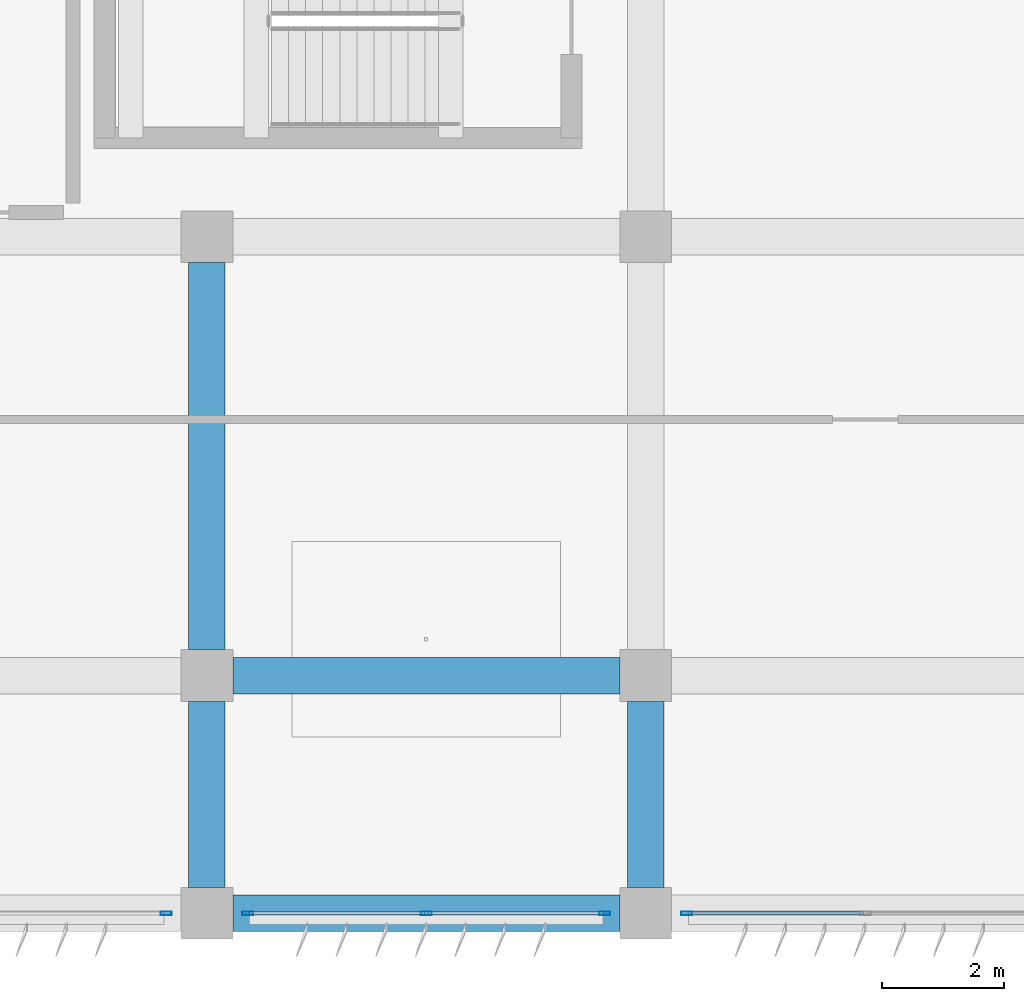
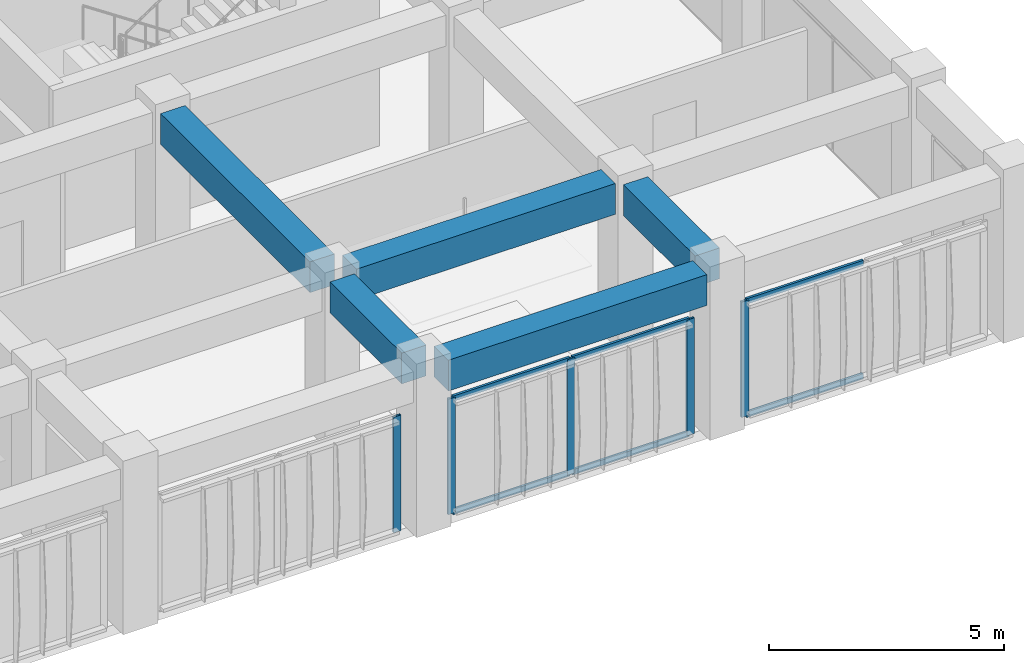
# One storey, part 16 of 48: 11 members, 5 beams, 3 elements without a shape of their own.
"""IFC4 building model written with IfcOpenShell, lengths in metres."""

from ifc_helpers import new_model, si_unit, direction, frame, origin, origin_2d, place, context, subcontext, project, spatial, rectangle, hollow_rectangle, extrude, material, material_profile, profile_set, type_object, element, aggregate, save


model = new_model("IFC4")

# Units and contexts
model_context = context("Model", 3, precision=1e-05, world=origin(), true_north=direction((0.0, 1.0)))
body_context = subcontext(model_context, "Body", "Model", "MODEL_VIEW")
ifc_project = project(units=[si_unit("LENGTHUNIT", "METRE"), si_unit("AREAUNIT", "SQUARE_METRE"), si_unit("VOLUMEUNIT", "CUBIC_METRE"), si_unit("PLANEANGLEUNIT", "RADIAN"), si_unit("MASSUNIT", "GRAM", prefix="KILO")], contexts=[model_context])

# Site, building, storey
site_placement = place(None, origin())
site = spatial("IfcSite", under=ifc_project, at=site_placement, CompositionType="ELEMENT")
building_placement = place(site_placement, origin())
building = spatial("IfcBuilding", under=site, at=building_placement, Name="Kazehaya Institute of Natural Sciences", CompositionType="ELEMENT")
storey_placement = place(building_placement, frame((0.0, 0.0, 19.800048828125)))
storey = spatial("IfcBuildingStorey", under=building, at=storey_placement, Name="L04", CompositionType="ELEMENT", Elevation=19.800048828125)

# Beams
ifc_material_1 = material(Name="Concrete Fc36", Category="concrete")
ifc_material_profile_1 = material_profile(ifc_material_1, rectangle(XDim=0.60009765625, YDim=0.800048828125, at=origin_2d()), Name="RC-600x800")
ifc_profile_set_1 = profile_set([ifc_material_profile_1], Name="Concrete Fc36")
beam_type = type_object("IfcBeamType", Name="BM-G-600x800", PredefinedType="BEAM", material=ifc_profile_set_1)
for number, where, z_axis, x_axis, name in (
    (1, (105.425048828125, 10.10009765625, 3.829833984375), (1.0, 0.0, 0.0), (0.0, 1.0, 0.0), "L04 primary X girder BMX-L04-1050-101"),
    (2, (105.425048828125, 14.0, 3.829833984375), (1.0, 0.0, 0.0), (0.0, 1.0, 0.0), "L04 primary X girder BMX-L04-1050-140"),
):
    element("IfcBeam", number, at=place(storey_placement, frame(where, z_axis=z_axis, x_axis=x_axis)), inside=storey, type_object=beam_type, Name=name, PredefinedType="BEAM", context=body_context, shape_type="SweptSolid", body=[
        extrude(rectangle(XDim=0.60009765625, YDim=0.800048828125, at=origin_2d()), origin(), (0.0, 0.0, 1.0), 6.349853515625),
    ])
beam_1_placement = place(storey_placement, frame((105.0, 10.52490234375, 3.829833984375), z_axis=(0.0, 1.0, 0.0), x_axis=(-1.0, 0.0, 0.0)))
element("IfcBeam", 3, at=beam_1_placement, inside=storey, type_object=beam_type, Name="L04 primary Y girder BMY-L04-1050-101", PredefinedType="BEAM", context=body_context, shape_type="SweptSolid", body=[
    extrude(rectangle(XDim=0.60009765625, YDim=0.800048828125, at=origin_2d()), origin(), (0.0, 0.0, 1.0), 3.050048828125),
])
beam_2_placement = place(storey_placement, frame((105.0, 14.425048828125, 3.829833984375), z_axis=(0.0, 1.0, 0.0), x_axis=(-1.0, 0.0, 0.0)))
element("IfcBeam", 4, at=beam_2_placement, inside=storey, type_object=beam_type, Name="L04 primary Y girder BMY-L04-1050-140", PredefinedType="BEAM", context=body_context, shape_type="SweptSolid", body=[
    extrude(rectangle(XDim=0.60009765625, YDim=0.800048828125, at=origin_2d()), origin(), (0.0, 0.0, 1.0), 6.349853515625),
])
beam_3_placement = place(storey_placement, frame((112.199951171875, 10.52490234375, 3.829833984375), z_axis=(0.0, 1.0, 0.0), x_axis=(-1.0, 0.0, 0.0)))
element("IfcBeam", 5, at=beam_3_placement, inside=storey, type_object=beam_type, Name="L04 primary Y girder BMY-L04-1122-101", PredefinedType="BEAM", context=body_context, shape_type="SweptSolid", body=[
    extrude(rectangle(XDim=0.60009765625, YDim=0.800048828125, at=origin_2d()), origin(), (0.0, 0.0, 1.0), 3.050048828125),
])

# Curtain wall, member
ifc_material_2 = material(Name="Aluminium alloy A6063S-T5", Category="aluminium")
curtain_wall_type = type_object("IfcCurtainWallType", Name="CW-SYS-04", PredefinedType="NOTDEFINED", material=ifc_material_2)
curtain_wall_1_placement = place(storey_placement, origin())
curtain_wall_1 = element("IfcCurtainWall", 6, at=curtain_wall_1_placement, inside=storey, type_object=curtain_wall_type, Name="L04 unitised curtain wall CW-L04-075", PredefinedType="NOTDEFINED")
ifc_material_profile_2 = material_profile(ifc_material_2, hollow_rectangle(XDim=0.06005859375, YDim=0.179931640625, WallThickness=0.00390625, at=origin_2d()), Name="ALU-60x180x4")
ifc_profile_set_2 = profile_set([ifc_material_profile_2], Name="Aluminium alloy A6063S-T5")
member_type_1 = type_object("IfcMemberType", Name="CWM-180", PredefinedType="MULLION", material=ifc_profile_set_2)
member_1_placement = place(storey_placement, frame((112.8701171875, 10.10009765625, 0.0), z_axis=(0.0, 0.0, 1.0), x_axis=(0.0, -1.0, 0.0)))
member_1 = element("IfcMember", 7, at=member_1_placement, type_object=member_type_1, Name="CW04 mullion 3", PredefinedType="MULLION", context=body_context, shape_type="SweptSolid", body=[
    extrude(hollow_rectangle(XDim=0.06005859375, YDim=0.179931640625, WallThickness=0.00390625, at=origin_2d()), origin(), (0.0, 0.0, 1.0), 3.0),
])

# Curtain wall, members
curtain_wall_2_placement = place(storey_placement, origin())
curtain_wall_2 = element("IfcCurtainWall", 8, at=curtain_wall_2_placement, inside=storey, type_object=curtain_wall_type, Name="L04 unitised curtain wall CW-L04-076", PredefinedType="NOTDEFINED")
member_2_placement = place(storey_placement, frame((111.530029296875, 10.10009765625, 0.0), z_axis=(0.0, 0.0, 1.0), x_axis=(0.0, -1.0, 0.0)))
member_2 = element("IfcMember", 9, at=member_2_placement, type_object=member_type_1, Name="CW04 mullion 1", PredefinedType="MULLION", context=body_context, shape_type="SweptSolid", body=[
    extrude(hollow_rectangle(XDim=0.06005859375, YDim=0.179931640625, WallThickness=0.00390625, at=origin_2d()), origin(), (0.0, 0.0, 1.0), 3.0),
])
member_3_placement = place(storey_placement, frame((108.60009765625, 10.10009765625, 0.0), z_axis=(0.0, 0.0, 1.0), x_axis=(0.0, -1.0, 0.0)))
member_3 = element("IfcMember", 10, at=member_3_placement, type_object=member_type_1, Name="CW04 mullion 2", PredefinedType="MULLION", context=body_context, shape_type="SweptSolid", body=[
    extrude(hollow_rectangle(XDim=0.06005859375, YDim=0.179931640625, WallThickness=0.00390625, at=origin_2d()), origin(), (0.0, 0.0, 1.0), 3.0),
])
member_4_placement = place(storey_placement, frame((105.669921875, 10.10009765625, 0.0), z_axis=(0.0, 0.0, 1.0), x_axis=(0.0, -1.0, 0.0)))
member_4 = element("IfcMember", 11, at=member_4_placement, type_object=member_type_1, Name="CW04 mullion 3", PredefinedType="MULLION", context=body_context, shape_type="SweptSolid", body=[
    extrude(hollow_rectangle(XDim=0.06005859375, YDim=0.179931640625, WallThickness=0.00390625, at=origin_2d()), origin(), (0.0, 0.0, 1.0), 3.0),
])

# Curtain wall, member
curtain_wall_3_placement = place(storey_placement, origin())
curtain_wall_3 = element("IfcCurtainWall", 12, at=curtain_wall_3_placement, inside=storey, type_object=curtain_wall_type, Name="L04 unitised curtain wall CW-L04-077", PredefinedType="NOTDEFINED")
member_5_placement = place(storey_placement, frame((104.330078125, 10.10009765625, 0.0), z_axis=(0.0, 0.0, 1.0), x_axis=(0.0, -1.0, 0.0)))
member_5 = element("IfcMember", 13, at=member_5_placement, type_object=member_type_1, Name="CW04 mullion 1", PredefinedType="MULLION", context=body_context, shape_type="SweptSolid", body=[
    extrude(hollow_rectangle(XDim=0.06005859375, YDim=0.179931640625, WallThickness=0.00390625, at=origin_2d()), origin(), (0.0, 0.0, 1.0), 3.0),
])
aggregate(curtain_wall_3, [member_5])

# Member
ifc_material_profile_3 = material_profile(ifc_material_2, hollow_rectangle(XDim=0.06005859375, YDim=0.139892578125, WallThickness=0.00341796875, at=origin_2d()), Name="ALU-60x140x3.5")
ifc_profile_set_3 = profile_set([ifc_material_profile_3], Name="Aluminium alloy A6063S-T5")
member_type_2 = type_object("IfcMemberType", Name="CWT-140", PredefinedType="USERDEFINED", material=ifc_profile_set_3)
member_6_placement = place(storey_placement, frame((115.77001953125, 10.10009765625, 0.030029296875), z_axis=(-1.0, 0.0, 0.0), x_axis=(0.0, -1.0, 0.0)))
member_6 = element("IfcMember", 14, at=member_6_placement, type_object=member_type_2, Name="CW04 transom 2.1", ObjectType="TRANSOM", PredefinedType="USERDEFINED", context=body_context, shape_type="SweptSolid", body=[
    extrude(hollow_rectangle(XDim=0.06005859375, YDim=0.139892578125, WallThickness=0.00341796875, at=origin_2d()), origin(), (0.0, 0.0, 1.0), 2.8701171875),
])

member_7_placement = place(storey_placement, frame((115.77001953125, 10.10009765625, 2.969970703125), z_axis=(-1.0, 0.0, 0.0), x_axis=(0.0, -1.0, 0.0)))
member_7 = element("IfcMember", 15, at=member_7_placement, type_object=member_type_2, Name="CW04 transom 2.2", ObjectType="TRANSOM", PredefinedType="USERDEFINED", context=body_context, shape_type="SweptSolid", body=[
    extrude(hollow_rectangle(XDim=0.06005859375, YDim=0.139892578125, WallThickness=0.00341796875, at=origin_2d()), origin(), (0.0, 0.0, 1.0), 2.8701171875),
])

aggregate(curtain_wall_1, [member_1, member_6, member_7])

member_8_placement = place(storey_placement, frame((111.5, 10.10009765625, 0.030029296875), z_axis=(-1.0, 0.0, 0.0), x_axis=(0.0, -1.0, 0.0)))
member_8 = element("IfcMember", 16, at=member_8_placement, type_object=member_type_2, Name="CW04 transom 1.1", ObjectType="TRANSOM", PredefinedType="USERDEFINED", context=body_context, shape_type="SweptSolid", body=[
    extrude(hollow_rectangle(XDim=0.06005859375, YDim=0.139892578125, WallThickness=0.00341796875, at=origin_2d()), origin(), (0.0, 0.0, 1.0), 2.8701171875),
])

member_9_placement = place(storey_placement, frame((111.5, 10.10009765625, 2.969970703125), z_axis=(-1.0, 0.0, 0.0), x_axis=(0.0, -1.0, 0.0)))
member_9 = element("IfcMember", 17, at=member_9_placement, type_object=member_type_2, Name="CW04 transom 1.2", ObjectType="TRANSOM", PredefinedType="USERDEFINED", context=body_context, shape_type="SweptSolid", body=[
    extrude(hollow_rectangle(XDim=0.06005859375, YDim=0.139892578125, WallThickness=0.00341796875, at=origin_2d()), origin(), (0.0, 0.0, 1.0), 2.8701171875),
])

member_10_placement = place(storey_placement, frame((108.570068359375, 10.10009765625, 0.030029296875), z_axis=(-1.0, 0.0, 0.0), x_axis=(0.0, -1.0, 0.0)))
member_10 = element("IfcMember", 18, at=member_10_placement, type_object=member_type_2, Name="CW04 transom 2.1", ObjectType="TRANSOM", PredefinedType="USERDEFINED", context=body_context, shape_type="SweptSolid", body=[
    extrude(hollow_rectangle(XDim=0.06005859375, YDim=0.139892578125, WallThickness=0.00341796875, at=origin_2d()), origin(), (0.0, 0.0, 1.0), 2.8701171875),
])

member_11_placement = place(storey_placement, frame((108.570068359375, 10.10009765625, 2.969970703125), z_axis=(-1.0, 0.0, 0.0), x_axis=(0.0, -1.0, 0.0)))
member_11 = element("IfcMember", 19, at=member_11_placement, type_object=member_type_2, Name="CW04 transom 2.2", ObjectType="TRANSOM", PredefinedType="USERDEFINED", context=body_context, shape_type="SweptSolid", body=[
    extrude(hollow_rectangle(XDim=0.06005859375, YDim=0.139892578125, WallThickness=0.00341796875, at=origin_2d()), origin(), (0.0, 0.0, 1.0), 2.8701171875),
])

aggregate(curtain_wall_2, [member_2, member_3, member_4, member_8, member_9, member_10, member_11])

save(model, "model.ifc")
